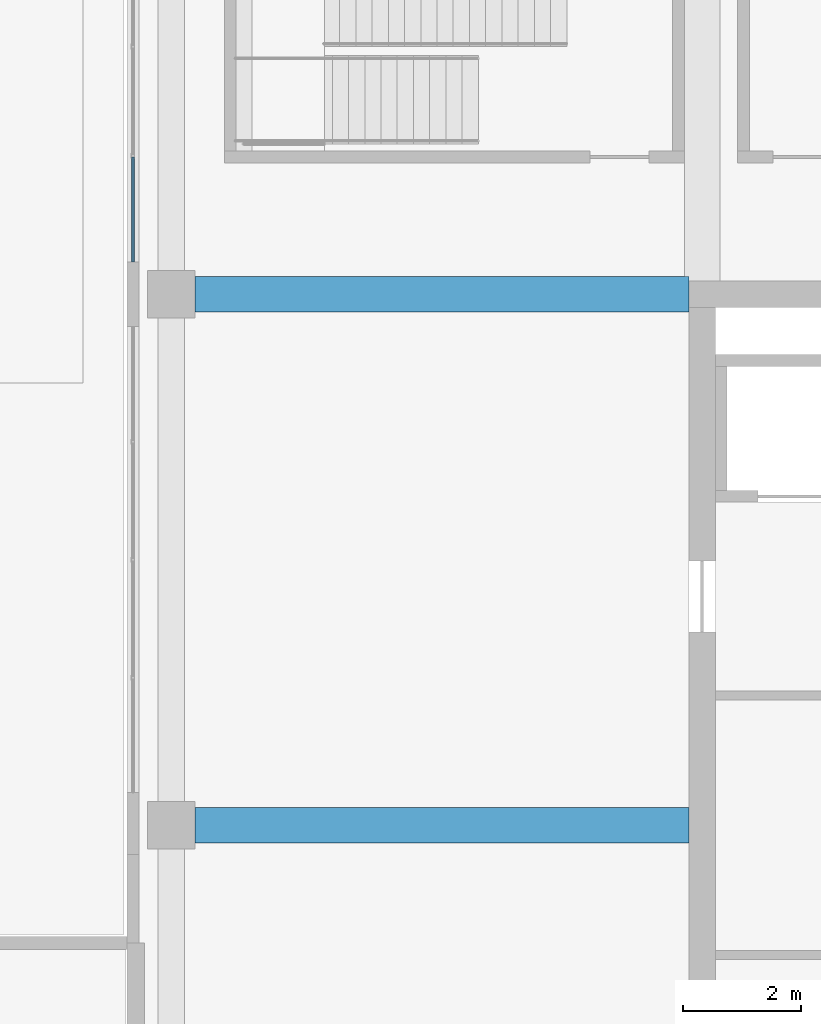
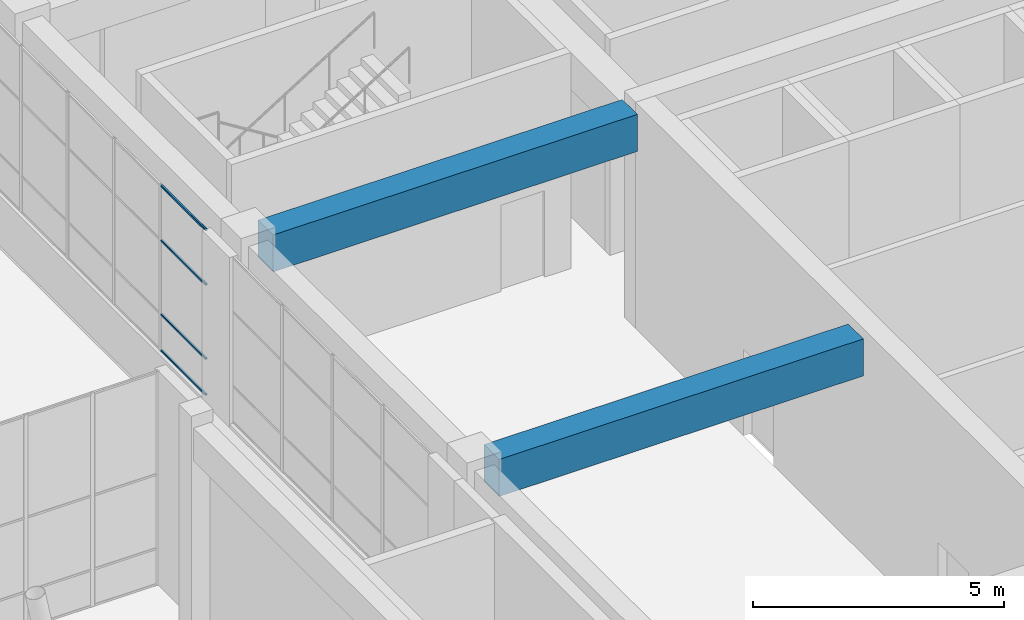
# One storey, part 26 of 72: 4 members, 2 beams, 1 element without a shape of its own.
"""IFC4 building model written with IfcOpenShell, lengths in metres."""

from ifc_helpers import new_model, si_unit, direction, frame, origin, origin_2d, place, context, subcontext, project, spatial, rectangle, hollow_rectangle, extrude, material, layer, layer_set, material_profile, profile_set, type_object, element, aggregate, save


model = new_model("IFC4")

# Units and contexts
model_context = context("Model", 3, precision=1e-05, world=origin(), true_north=direction((0.0, 1.0)))
body_context = subcontext(model_context, "Body", "Model", "MODEL_VIEW")
ifc_project = project(units=[si_unit("LENGTHUNIT", "METRE"), si_unit("AREAUNIT", "SQUARE_METRE"), si_unit("VOLUMEUNIT", "CUBIC_METRE"), si_unit("PLANEANGLEUNIT", "RADIAN"), si_unit("MASSUNIT", "GRAM", prefix="KILO")], contexts=[model_context])

# Site, building, storey
site_placement = place(None, origin())
site = spatial("IfcSite", under=ifc_project, at=site_placement, CompositionType="ELEMENT")
building_placement = place(site_placement, origin())
building = spatial("IfcBuilding", under=site, at=building_placement, Name="Tuart Plaza Theatre", CompositionType="ELEMENT")
storey_placement = place(building_placement, origin())
storey = spatial("IfcBuildingStorey", under=building, at=storey_placement, Name="L00", CompositionType="ELEMENT", Elevation=0.0)

# Beams
ifc_material_1 = material(Name="Concrete N40 (40 MPa)", Category="concrete")
ifc_material_profile_1 = material_profile(ifc_material_1, rectangle(XDim=0.60009765625, YDim=0.89990234375, at=origin_2d()), Name="BEAM 600x900 Concrete N40 (40 MPa)")
ifc_profile_set_1 = profile_set([ifc_material_profile_1], Name="Concrete N40 (40 MPa)")
beam_type = type_object("IfcBeamType", Name="BEAM 600x900 Concrete N40 (40 MPa)", PredefinedType="BEAM", material=ifc_profile_set_1)
for number, where, z_axis, x_axis, name in (
    (1, (114.39990234375, 74.0, 4.800048828125), (1.0, 0.0, 0.0), (0.0, 1.0, 0.0), "RB127"),
    (2, (114.39990234375, 83.0, 4.800048828125), (1.0, 0.0, 0.0), (0.0, 1.0, 0.0), "RB129"),
):
    element("IfcBeam", number, at=place(storey_placement, frame(where, z_axis=z_axis, x_axis=x_axis)), inside=storey, type_object=beam_type, Name=name, PredefinedType="BEAM", context=body_context, shape_type="SweptSolid", body=[
        extrude(rectangle(XDim=0.60009765625, YDim=0.89990234375, at=origin_2d()), origin(), (0.0, 0.0, 1.0), 8.375),
    ])

# Curtain wall, members
ifc_material_2 = material(Name="Aluminium and glass", Category="aluminium")
ifc_layer = layer(ifc_material_2, 0.10009765625)
ifc_layer_set = layer_set([ifc_layer], Name="CURTAIN WALL 2000 module")
curtain_wall_type = type_object("IfcCurtainWallType", Name="CURTAIN WALL 2000 module", PredefinedType="NOTDEFINED", material=ifc_layer_set)
curtain_wall_placement = place(storey_placement, origin())
curtain_wall = element("IfcCurtainWall", 3, at=curtain_wall_placement, inside=storey, type_object=curtain_wall_type, Name="CW57", PredefinedType="NOTDEFINED")
ifc_material_3 = material(Name="Aluminium 6063-T5", Category="aluminium")
ifc_material_profile_2 = material_profile(ifc_material_3, hollow_rectangle(XDim=0.050048828125, YDim=0.050048828125, WallThickness=0.00390625, InnerFilletRadius=0.00390625, OuterFilletRadius=0.008056640625, at=origin_2d()), Name="RHS 50x50x4")
ifc_profile_set_2 = profile_set([ifc_material_profile_2], Name="Aluminium 6063-T5")
member_type = type_object("IfcMemberType", Name="TRANSOM RHS 50x50x4", PredefinedType="USERDEFINED", material=ifc_profile_set_2)
member_1_placement = place(storey_placement, frame((113.35009765625, 85.324951171875, 1.22509765625), z_axis=(0.0, -1.0, 0.0), x_axis=(1.0, 0.0, 0.0)))
member_1 = element("IfcMember", 4, at=member_1_placement, type_object=member_type, Name="CW57 transom 5.1", ObjectType="TRANSOM", PredefinedType="USERDEFINED", context=body_context, shape_type="SweptSolid", body=[
    extrude(hollow_rectangle(XDim=0.050048828125, YDim=0.050048828125, WallThickness=0.00390625, InnerFilletRadius=0.00390625, OuterFilletRadius=0.008056640625, at=origin_2d()), origin(), (0.0, 0.0, 1.0), 1.77490234375),
])
member_2_placement = place(storey_placement, frame((113.35009765625, 85.324951171875, 2.10009765625), z_axis=(0.0, -1.0, 0.0), x_axis=(1.0, 0.0, 0.0)))
member_2 = element("IfcMember", 5, at=member_2_placement, type_object=member_type, Name="CW57 transom 5.2", ObjectType="TRANSOM", PredefinedType="USERDEFINED", context=body_context, shape_type="SweptSolid", body=[
    extrude(hollow_rectangle(XDim=0.050048828125, YDim=0.050048828125, WallThickness=0.00390625, InnerFilletRadius=0.00390625, OuterFilletRadius=0.008056640625, at=origin_2d()), origin(), (0.0, 0.0, 1.0), 1.77490234375),
])
member_3_placement = place(storey_placement, frame((113.35009765625, 85.324951171875, 3.89990234375), z_axis=(0.0, -1.0, 0.0), x_axis=(1.0, 0.0, 0.0)))
member_3 = element("IfcMember", 6, at=member_3_placement, type_object=member_type, Name="CW57 transom 5.3", ObjectType="TRANSOM", PredefinedType="USERDEFINED", context=body_context, shape_type="SweptSolid", body=[
    extrude(hollow_rectangle(XDim=0.050048828125, YDim=0.050048828125, WallThickness=0.00390625, InnerFilletRadius=0.00390625, OuterFilletRadius=0.008056640625, at=origin_2d()), origin(), (0.0, 0.0, 1.0), 1.77490234375),
])
member_4_placement = place(storey_placement, frame((113.35009765625, 85.324951171875, 5.22509765625), z_axis=(0.0, -1.0, 0.0), x_axis=(1.0, 0.0, 0.0)))
member_4 = element("IfcMember", 7, at=member_4_placement, type_object=member_type, Name="CW57 transom 5.4", ObjectType="TRANSOM", PredefinedType="USERDEFINED", context=body_context, shape_type="SweptSolid", body=[
    extrude(hollow_rectangle(XDim=0.050048828125, YDim=0.050048828125, WallThickness=0.00390625, InnerFilletRadius=0.00390625, OuterFilletRadius=0.008056640625, at=origin_2d()), origin(), (0.0, 0.0, 1.0), 1.77490234375),
])
aggregate(curtain_wall, [member_1, member_2, member_3, member_4])

save(model, "model.ifc")
